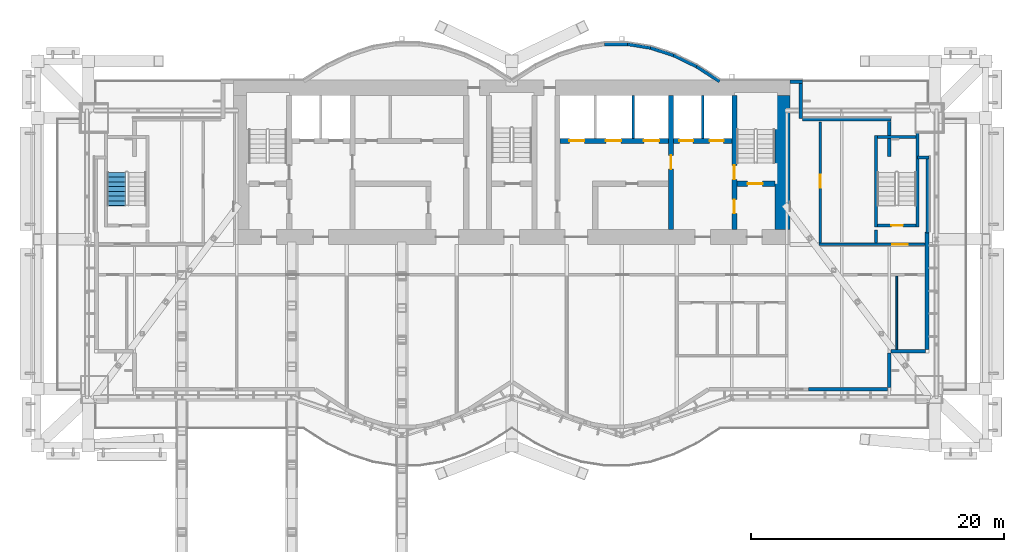
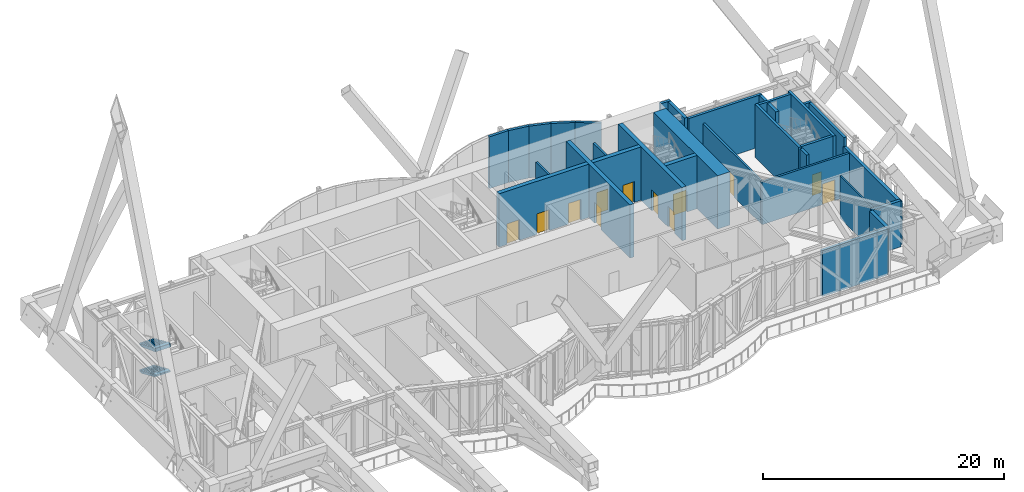
# One storey, part 26 of 30: 30 walls, 12 doors, 2 stair flights, 12 openings, 1 element without a shape of its own.
"""IFC4 building model written with IfcOpenShell, lengths in metres."""

from ifc_helpers import new_model, si_unit, direction, frame, frame_2d, origin, place, context, subcontext, project, spatial, polyline, rectangle, outline, extrude, material, layer, layer_set, layer_usage, type_object, element, fill, aggregate, save


model = new_model("IFC4")

# Units and contexts
model_context = context("Model", 3, precision=1e-05, world=origin(), true_north=direction((0.0, 1.0)))
body_context = subcontext(model_context, "Body", "Model", "MODEL_VIEW")
ifc_project = project(units=[si_unit("LENGTHUNIT", "METRE"), si_unit("AREAUNIT", "SQUARE_METRE"), si_unit("VOLUMEUNIT", "CUBIC_METRE"), si_unit("PLANEANGLEUNIT", "RADIAN"), si_unit("MASSUNIT", "GRAM", prefix="KILO")], contexts=[model_context])

# Site, building, storey
site_placement = place(None, origin())
site = spatial("IfcSite", under=ifc_project, at=site_placement, CompositionType="ELEMENT")
building_placement = place(site_placement, origin())
building = spatial("IfcBuilding", under=site, at=building_placement, Name="Bicima Exchange Tower", CompositionType="ELEMENT")
storey_placement = place(building_placement, frame((0.0, 0.0, 287.60009765625)))
storey = spatial("IfcBuildingStorey", under=building, at=storey_placement, Name="L65", CompositionType="ELEMENT", Elevation=287.60009765625)

# Walls
ifc_material_1 = material(Name="Gypsum board partition")
ifc_layer_1 = layer(ifc_material_1, 0.199951171875)
ifc_layer_set_1 = layer_set([ifc_layer_1], Name="Gypsum board partition")
wall_type_1 = type_object("IfcWallType", Name="Fire-rated gypsum partition 200 EI120", PredefinedType="PARTITIONING", material=ifc_layer_set_1)
for number, where, z_axis, x_axis, name in (
    (1, (9.60009765625, -4.60009765625, 0.0), (0.0, 0.0, 1.0), (0.0, 1.0, 0.0), "partition wall 19"),
    (2, (15.10009765625, -4.60009765625, 0.0), (0.0, 0.0, 1.0), (0.0, 1.0, 0.0), "partition wall 21"),
):
    element("IfcWall", number, at=place(storey_placement, frame(where, z_axis=z_axis, x_axis=x_axis)), inside=storey, type_object=wall_type_1, Name=name, PredefinedType="PARTITIONING", context=body_context, shape_type="SweptSolid", body=[
        extrude(rectangle(XDim=3.400146484375, YDim=0.199951171875, at=frame_2d((1.7001953125, 0.0))), origin(), (0.0, 0.0, 1.0), 4.318115234375),
    ])

# Wall, opening, door
ifc_layer_2 = layer(ifc_material_1, 0.199951171875)
ifc_layer_set_2 = layer_set([ifc_layer_2], Name="Gypsum board partition")
wall_type_2 = type_object("IfcWallType", Name="Fire-rated gypsum partition 200 EI60", PredefinedType="PARTITIONING", material=ifc_layer_set_2)
wall_1_placement = place(storey_placement, frame((24.300048828125, -13.0, 0.0), z_axis=(0.0, 0.0, 1.0), x_axis=(1.0, 0.0, 0.0)))
wall_1 = element("IfcWall", 3, at=wall_1_placement, inside=storey, type_object=wall_type_2, Name="partition wall 7", PredefinedType="PARTITIONING", context=body_context, shape_type="SweptSolid", body=[
    extrude(rectangle(XDim=8.39990234375, YDim=0.199951171875, at=frame_2d((4.199951171875, 0.0))), origin(), (0.0, 0.0, 1.0), 4.318115234375),
])
opening_1_placement = place(wall_1_placement, frame((5.800048828125, 0.0, 0.0)))
opening_1 = element("IfcOpeningElement", 4, at=opening_1_placement, cuts=wall_1, Name="Opening L65-003", PredefinedType="OPENING", context=body_context, shape_type="SweptSolid", body=[
    extrude(rectangle(XDim=1.199951171875, YDim=2.10009765625, at=frame_2d((0.60009765625, 1.050048828125))), frame((0.0, 0.11181640625, 0.0), z_axis=(0.0, -1.0, 0.0), x_axis=(1.0, 0.0, 0.0)), (0.0, 0.0, 1.0), 0.223876953125),
])
ifc_material_2 = material(Name="Steel fire door leaf", Category="steel")
door_type_1 = type_object("IfcDoorType", Name="Door 1200 swing FD30S", OperationType="SINGLE_SWING_LEFT", PredefinedType="DOOR", material=ifc_material_2)
door_1_placement = place(opening_1_placement, origin())
door_1 = element("IfcDoor", 5, at=door_1_placement, inside=storey, type_object=door_type_1, Name="Door", OperationType="SINGLE_SWING_RIGHT", OverallHeight=2.10009765625, OverallWidth=1.199951171875, PredefinedType="DOOR", context=body_context, shape_type="SweptSolid", body=[
    extrude(rectangle(XDim=1.199951171875, YDim=2.10009765625, at=frame_2d((0.60009765625, 1.050048828125))), frame((0.0, 0.02490234375, 0.0), z_axis=(0.0, -1.0, 0.0), x_axis=(1.0, 0.0, 0.0)), (0.0, 0.0, 1.0), 0.050048828125),
])
fill(opening_1, door_1)

wall_2_placement = place(storey_placement, frame((24.39990234375, -12.89990234375, 0.0), z_axis=(0.0, 0.0, 1.0), x_axis=(0.0, 1.0, 0.0)))
wall_2 = element("IfcWall", 6, at=wall_2_placement, inside=storey, type_object=wall_type_2, Name="partition wall 24", PredefinedType="PARTITIONING", context=body_context, shape_type="SweptSolid", body=[
    extrude(rectangle(XDim=9.599853515625, YDim=0.199951171875, at=frame_2d((4.7998046875, 0.0))), origin(), (0.0, 0.0, 1.0), 4.318115234375),
])
opening_2_placement = place(wall_2_placement, frame((4.39990234375, 0.0, 0.0)))
opening_2 = element("IfcOpeningElement", 7, at=opening_2_placement, cuts=wall_2, Name="Opening L65-006", PredefinedType="OPENING", context=body_context, shape_type="SweptSolid", body=[
    extrude(rectangle(XDim=1.0, YDim=2.10009765625, at=frame_2d((0.5, 1.050048828125))), frame((0.0, 0.11181640625, 0.0), z_axis=(0.0, -1.0, 0.0), x_axis=(1.0, 0.0, 0.0)), (0.0, 0.0, 1.0), 0.223876953125),
])
door_type_2 = type_object("IfcDoorType", Name="Door 1000 swing FD30S", OperationType="SINGLE_SWING_LEFT", PredefinedType="DOOR", material=ifc_material_2)
door_2_placement = place(opening_2_placement, frame((1.0, 0.0, 0.0), z_axis=(0.0, 0.0, 1.0), x_axis=(-1.0, 0.0, 0.0)))
door_2 = element("IfcDoor", 8, at=door_2_placement, inside=storey, type_object=door_type_2, Name="Door", OperationType="SINGLE_SWING_RIGHT", OverallHeight=2.10009765625, OverallWidth=1.0, PredefinedType="DOOR", context=body_context, shape_type="SweptSolid", body=[
    extrude(rectangle(XDim=1.0, YDim=2.10009765625, at=frame_2d((0.5, 1.050048828125))), frame((0.0, 0.02490234375, 0.0), z_axis=(0.0, -1.0, 0.0), x_axis=(1.0, 0.0, 0.0)), (0.0, 0.0, 1.0), 0.050048828125),
])
fill(opening_2, door_2)

# Walls
ifc_layer_3 = layer(ifc_material_1, 0.14990234375)
ifc_layer_set_3 = layer_set([ifc_layer_3], Name="Gypsum board partition")
wall_type_3 = type_object("IfcWallType", Name="Gypsum partition 150", PredefinedType="PARTITIONING", material=ifc_layer_set_3)
wall_3_placement = place(storey_placement, frame((30.449951171875, -21.300048828125, 0.0), z_axis=(0.0, 0.0, 1.0), x_axis=(0.0, 1.0, 0.0)))
element("IfcWall", 9, at=wall_3_placement, inside=storey, type_object=wall_type_3, Name="partition wall 26", PredefinedType="PARTITIONING", context=body_context, shape_type="SweptSolid", body=[
    extrude(rectangle(XDim=5.800048828125, YDim=0.14990234375, at=frame_2d((2.89990234375, 0.0))), origin(), (0.0, 0.0, 1.0), 4.318115234375),
])
ifc_material_3 = material(Name="Concrete C40/50", Category="concrete")
ifc_layer_4 = layer(ifc_material_3, 1.199951171875)
ifc_layer_set_4 = layer_set([ifc_layer_4], Name="Concrete C40/50")
wall_type_4 = type_object("IfcWallType", Name="RC core wall 1200 C40/50", PredefinedType="SHEAR", material=ifc_layer_set_4)
wall_4_placement = place(storey_placement, frame((21.39990234375, -11.800048828125, 0.0), z_axis=(0.0, 0.0, 1.0), x_axis=(0.0, 1.0, 0.0)))
element("IfcWall", 10, at=wall_4_placement, inside=storey, type_object=wall_type_4, Name="Core wall east", PredefinedType="SHEAR", context=body_context, shape_type="SweptSolid", body=[
    extrude(rectangle(XDim=10.60009765625, YDim=1.199951171875, at=frame_2d((5.300048828125, 0.0))), origin(), (0.0, 0.0, 1.0), 5.39990234375),
])
ifc_material_4 = material(Name="Concrete C50/60", Category="concrete")
ifc_layer_5 = layer(ifc_material_4, 0.25)
ifc_layer_set_5 = layer_set([ifc_layer_5], Name="Concrete C50/60")
wall_type_5 = type_object("IfcWallType", Name="RC core wall 250 C50/60", PredefinedType="SHEAR", material=ifc_layer_set_5)
wall_5_placement = place(storey_placement, frame((28.800048828125, -12.89990234375, 0.0), z_axis=(0.0, 0.0, 1.0), x_axis=(0.0, 1.0, 0.0)))
element("IfcWall", 11, at=wall_5_placement, inside=storey, type_object=wall_type_5, Name="stair wall 25", PredefinedType="SHEAR", context=body_context, shape_type="SweptSolid", body=[
    extrude(rectangle(XDim=1.0498046875, YDim=0.25, at=frame_2d((0.52490234375, 0.0))), origin(), (0.0, 0.0, 1.0), 5.39990234375),
])

# Wall, openings, doors
ifc_layer_6 = layer(ifc_material_3, 0.39990234375)
ifc_layer_set_6 = layer_set([ifc_layer_6], Name="Concrete C40/50")
wall_type_6 = type_object("IfcWallType", Name="RC core wall 400 C40/50", PredefinedType="SHEAR", material=ifc_layer_set_6)
wall_6_placement = place(storey_placement, frame((3.800048828125, -4.800048828125, 0.0), z_axis=(0.0, 0.0, 1.0), x_axis=(1.0, 0.0, 0.0)))
wall_6 = element("IfcWall", 12, at=wall_6_placement, inside=storey, type_object=wall_type_6, Name="shear wall 7", PredefinedType="SHEAR", context=body_context, shape_type="SweptSolid", body=[
    extrude(rectangle(XDim=13.599853515625, YDim=0.39990234375, at=frame_2d((6.7998046875, 0.0))), origin(), (0.0, 0.0, 1.0), 5.39990234375),
])
opening_3_placement = place(wall_6_placement, frame((0.75, 0.0, 0.0)))
opening_3 = element("IfcOpeningElement", 13, at=opening_3_placement, cuts=wall_6, Name="Opening LD-HB1-L65", PredefinedType="OPENING", context=body_context, shape_type="SweptSolid", body=[
    extrude(rectangle(XDim=1.199951171875, YDim=2.10009765625, at=frame_2d((0.60009765625, 1.050048828125))), frame((0.0, 0.2119140625, 0.0), z_axis=(0.0, -1.0, 0.0), x_axis=(1.0, 0.0, 0.0)), (0.0, 0.0, 1.0), 0.423828125),
])
opening_4_placement = place(wall_6_placement, frame((3.64990234375, 0.0, 0.0)))
opening_4 = element("IfcOpeningElement", 14, at=opening_4_placement, cuts=wall_6, Name="Opening LD-HB2-L65", PredefinedType="OPENING", context=body_context, shape_type="SweptSolid", body=[
    extrude(rectangle(XDim=1.199951171875, YDim=2.10009765625, at=frame_2d((0.60009765625, 1.050048828125))), frame((0.0, 0.2119140625, 0.0), z_axis=(0.0, -1.0, 0.0), x_axis=(1.0, 0.0, 0.0)), (0.0, 0.0, 1.0), 0.423828125),
])
opening_5_placement = place(wall_6_placement, frame((6.64990234375, 0.0, 0.0)))
opening_5 = element("IfcOpeningElement", 15, at=opening_5_placement, cuts=wall_6, Name="Opening LD-HB3-L65", PredefinedType="OPENING", context=body_context, shape_type="SweptSolid", body=[
    extrude(rectangle(XDim=1.199951171875, YDim=2.10009765625, at=frame_2d((0.60009765625, 1.050048828125))), frame((0.0, 0.2119140625, 0.0), z_axis=(0.0, -1.0, 0.0), x_axis=(1.0, 0.0, 0.0)), (0.0, 0.0, 1.0), 0.423828125),
])
opening_6_placement = place(wall_6_placement, frame((9.449951171875, 0.0, 0.0)))
opening_6 = element("IfcOpeningElement", 16, at=opening_6_placement, cuts=wall_6, Name="Opening LD-FF2-L65", PredefinedType="OPENING", context=body_context, shape_type="SweptSolid", body=[
    extrude(rectangle(XDim=1.10009765625, YDim=2.10009765625, at=frame_2d((0.550048828125, 1.050048828125))), frame((0.0, 0.2119140625, 0.0), z_axis=(0.0, -1.0, 0.0), x_axis=(1.0, 0.0, 0.0)), (0.0, 0.0, 1.0), 0.423828125),
])
opening_7_placement = place(wall_6_placement, frame((11.85009765625, 0.0, 0.0)))
opening_7 = element("IfcOpeningElement", 17, at=opening_7_placement, cuts=wall_6, Name="Opening LD-SV1-L65", PredefinedType="OPENING", context=body_context, shape_type="SweptSolid", body=[
    extrude(rectangle(XDim=1.10009765625, YDim=2.10009765625, at=frame_2d((0.550048828125, 1.050048828125))), frame((0.0, 0.2119140625, 0.0), z_axis=(0.0, -1.0, 0.0), x_axis=(1.0, 0.0, 0.0)), (0.0, 0.0, 1.0), 0.423828125),
])
ifc_material_5 = material(Name="Stainless steel", Category="steel")
door_type_3 = type_object("IfcDoorType", Name="Lift landing door 1100 sliding", OperationType="DOUBLE_DOOR_SLIDING", PredefinedType="DOOR", material=ifc_material_5)
door_3_placement = place(opening_6_placement, origin())
door_3 = element("IfcDoor", 18, at=door_3_placement, inside=storey, type_object=door_type_3, Name="Lift landing door FF2", OperationType="DOUBLE_DOOR_SLIDING", OverallHeight=2.10009765625, OverallWidth=1.10009765625, PredefinedType="DOOR", context=body_context, shape_type="SweptSolid", body=[
    extrude(rectangle(XDim=1.10009765625, YDim=2.10009765625, at=frame_2d((0.550048828125, 1.050048828125))), frame((0.0, 0.02490234375, 0.0), z_axis=(0.0, -1.0, 0.0), x_axis=(1.0, 0.0, 0.0)), (0.0, 0.0, 1.0), 0.050048828125),
])
fill(opening_6, door_3)
door_4_placement = place(opening_7_placement, origin())
door_4 = element("IfcDoor", 19, at=door_4_placement, inside=storey, type_object=door_type_3, Name="Lift landing door SV1", OperationType="DOUBLE_DOOR_SLIDING", OverallHeight=2.10009765625, OverallWidth=1.10009765625, PredefinedType="DOOR", context=body_context, shape_type="SweptSolid", body=[
    extrude(rectangle(XDim=1.10009765625, YDim=2.10009765625, at=frame_2d((0.550048828125, 1.050048828125))), frame((0.0, 0.02490234375, 0.0), z_axis=(0.0, -1.0, 0.0), x_axis=(1.0, 0.0, 0.0)), (0.0, 0.0, 1.0), 0.050048828125),
])
fill(opening_7, door_4)
door_type_4 = type_object("IfcDoorType", Name="Lift landing door 1200 sliding", OperationType="DOUBLE_DOOR_SLIDING", PredefinedType="DOOR", material=ifc_material_5)
door_5_placement = place(opening_3_placement, origin())
door_5 = element("IfcDoor", 20, at=door_5_placement, inside=storey, type_object=door_type_4, Name="Lift landing door HB1", OperationType="DOUBLE_DOOR_SLIDING", OverallHeight=2.10009765625, OverallWidth=1.199951171875, PredefinedType="DOOR", context=body_context, shape_type="SweptSolid", body=[
    extrude(rectangle(XDim=1.199951171875, YDim=2.10009765625, at=frame_2d((0.60009765625, 1.050048828125))), frame((0.0, 0.02490234375, 0.0), z_axis=(0.0, -1.0, 0.0), x_axis=(1.0, 0.0, 0.0)), (0.0, 0.0, 1.0), 0.050048828125),
])
fill(opening_3, door_5)
door_6_placement = place(opening_4_placement, origin())
door_6 = element("IfcDoor", 21, at=door_6_placement, inside=storey, type_object=door_type_4, Name="Lift landing door HB2", OperationType="DOUBLE_DOOR_SLIDING", OverallHeight=2.10009765625, OverallWidth=1.199951171875, PredefinedType="DOOR", context=body_context, shape_type="SweptSolid", body=[
    extrude(rectangle(XDim=1.199951171875, YDim=2.10009765625, at=frame_2d((0.60009765625, 1.050048828125))), frame((0.0, 0.02490234375, 0.0), z_axis=(0.0, -1.0, 0.0), x_axis=(1.0, 0.0, 0.0)), (0.0, 0.0, 1.0), 0.050048828125),
])
fill(opening_4, door_6)
door_7_placement = place(opening_5_placement, origin())
door_7 = element("IfcDoor", 22, at=door_7_placement, inside=storey, type_object=door_type_4, Name="Lift landing door HB3", OperationType="DOUBLE_DOOR_SLIDING", OverallHeight=2.10009765625, OverallWidth=1.199951171875, PredefinedType="DOOR", context=body_context, shape_type="SweptSolid", body=[
    extrude(rectangle(XDim=1.199951171875, YDim=2.10009765625, at=frame_2d((0.60009765625, 1.050048828125))), frame((0.0, 0.02490234375, 0.0), z_axis=(0.0, -1.0, 0.0), x_axis=(1.0, 0.0, 0.0)), (0.0, 0.0, 1.0), 0.050048828125),
])
fill(opening_5, door_7)

# Wall, opening, door
wall_7_placement = place(storey_placement, frame((12.60009765625, -11.800048828125, 0.0), z_axis=(0.0, 0.0, 1.0), x_axis=(0.0, 1.0, 0.0)))
wall_7 = element("IfcWall", 23, at=wall_7_placement, inside=storey, type_object=wall_type_6, Name="shear wall 20", PredefinedType="SHEAR", context=body_context, shape_type="SweptSolid", body=[
    extrude(rectangle(XDim=10.60009765625, YDim=0.39990234375, at=frame_2d((5.300048828125, 0.0))), origin(), (0.0, 0.0, 1.0), 5.39990234375),
])
opening_8_placement = place(wall_7_placement, frame((4.75, 0.0, 0.0)))
opening_8 = element("IfcOpeningElement", 24, at=opening_8_placement, cuts=wall_7, Name="Opening L65-C09", PredefinedType="OPENING", context=body_context, shape_type="SweptSolid", body=[
    extrude(rectangle(XDim=1.10009765625, YDim=2.10009765625, at=frame_2d((0.550048828125, 1.050048828125))), frame((0.0, 0.2119140625, 0.0), z_axis=(0.0, -1.0, 0.0), x_axis=(1.0, 0.0, 0.0)), (0.0, 0.0, 1.0), 0.423828125),
])
door_type_5 = type_object("IfcDoorType", Name="Door 1100 swing FD60S", OperationType="SINGLE_SWING_LEFT", PredefinedType="DOOR", material=ifc_material_2)
door_8_placement = place(opening_8_placement, frame((1.10009765625, 0.0, 0.0), z_axis=(0.0, 0.0, 1.0), x_axis=(-1.0, 0.0, 0.0)))
door_8 = element("IfcDoor", 25, at=door_8_placement, inside=storey, type_object=door_type_5, Name="Core door", OperationType="SINGLE_SWING_RIGHT", OverallHeight=2.10009765625, OverallWidth=1.10009765625, PredefinedType="DOOR", context=body_context, shape_type="SweptSolid", body=[
    extrude(rectangle(XDim=1.10009765625, YDim=2.10009765625, at=frame_2d((0.550048828125, 1.050048828125))), frame((0.0, 0.02490234375, 0.0), z_axis=(0.0, -1.0, 0.0), x_axis=(1.0, 0.0, 0.0)), (0.0, 0.0, 1.0), 0.050048828125),
])
fill(opening_8, door_8)

ifc_layer_7 = layer(ifc_material_4, 0.39990234375)
ifc_layer_set_7 = layer_set([ifc_layer_7], Name="Concrete C50/60")
wall_type_7 = type_object("IfcWallType", Name="RC core wall 400 C50/60", PredefinedType="SHEAR", material=ifc_layer_set_7)
wall_8_placement = place(storey_placement, frame((17.800048828125, -8.199951171875, 0.0), z_axis=(0.0, 0.0, 1.0), x_axis=(1.0, 0.0, 0.0)))
wall_8 = element("IfcWall", 26, at=wall_8_placement, inside=storey, type_object=wall_type_7, Name="stair wall 5", PredefinedType="SHEAR", context=body_context, shape_type="SweptSolid", body=[
    extrude(rectangle(XDim=3.0, YDim=0.39990234375, at=frame_2d((1.5, 0.0))), origin(), (0.0, 0.0, 1.0), 5.39990234375),
])
opening_9_placement = place(wall_8_placement, frame((0.85009765625, 0.0, 0.0)))
opening_9 = element("IfcOpeningElement", 27, at=opening_9_placement, cuts=wall_8, Name="Opening L65-C04", PredefinedType="OPENING", context=body_context, shape_type="SweptSolid", body=[
    extrude(rectangle(XDim=1.199951171875, YDim=2.10009765625, at=frame_2d((0.60009765625, 1.050048828125))), frame((0.0, 0.2119140625, 0.0), z_axis=(0.0, -1.0, 0.0), x_axis=(1.0, 0.0, 0.0)), (0.0, 0.0, 1.0), 0.423828125),
])
door_type_6 = type_object("IfcDoorType", Name="Door 1200 swing FD60S", OperationType="SINGLE_SWING_LEFT", PredefinedType="DOOR", material=ifc_material_2)
door_9_placement = place(opening_9_placement, origin())
door_9 = element("IfcDoor", 28, at=door_9_placement, inside=storey, type_object=door_type_6, Name="Core door", OperationType="SINGLE_SWING_RIGHT", OverallHeight=2.10009765625, OverallWidth=1.199951171875, PredefinedType="DOOR", context=body_context, shape_type="SweptSolid", body=[
    extrude(rectangle(XDim=1.199951171875, YDim=2.10009765625, at=frame_2d((0.60009765625, 1.050048828125))), frame((0.0, 0.02490234375, 0.0), z_axis=(0.0, -1.0, 0.0), x_axis=(1.0, 0.0, 0.0)), (0.0, 0.0, 1.0), 0.050048828125),
])
fill(opening_9, door_9)

# Wall, openings, doors
wall_9_placement = place(storey_placement, frame((17.60009765625, -11.800048828125, 0.0), z_axis=(0.0, 0.0, 1.0), x_axis=(0.0, 1.0, 0.0)))
wall_9 = element("IfcWall", 29, at=wall_9_placement, inside=storey, type_object=wall_type_7, Name="stair wall 22", PredefinedType="SHEAR", context=body_context, shape_type="SweptSolid", body=[
    extrude(rectangle(XDim=10.60009765625, YDim=0.39990234375, at=frame_2d((5.300048828125, 0.0))), origin(), (0.0, 0.0, 1.0), 5.39990234375),
])
opening_10_placement = place(wall_9_placement, frame((1.25, 0.0, 0.0)))
opening_10 = element("IfcOpeningElement", 30, at=opening_10_placement, cuts=wall_9, Name="Opening L65-C05", PredefinedType="OPENING", context=body_context, shape_type="SweptSolid", body=[
    extrude(rectangle(XDim=1.10009765625, YDim=2.10009765625, at=frame_2d((0.550048828125, 1.050048828125))), frame((0.0, 0.2119140625, 0.0), z_axis=(0.0, -1.0, 0.0), x_axis=(1.0, 0.0, 0.0)), (0.0, 0.0, 1.0), 0.423828125),
])
opening_11_placement = place(wall_9_placement, frame((3.949951171875, 0.0, 0.0)))
opening_11 = element("IfcOpeningElement", 31, at=opening_11_placement, cuts=wall_9, Name="Opening L65-C08", PredefinedType="OPENING", context=body_context, shape_type="SweptSolid", body=[
    extrude(rectangle(XDim=1.10009765625, YDim=2.10009765625, at=frame_2d((0.550048828125, 1.050048828125))), frame((0.0, 0.2119140625, 0.0), z_axis=(0.0, -1.0, 0.0), x_axis=(1.0, 0.0, 0.0)), (0.0, 0.0, 1.0), 0.423828125),
])
door_10_placement = place(opening_10_placement, origin())
door_10 = element("IfcDoor", 32, at=door_10_placement, inside=storey, type_object=door_type_5, Name="Core door", OperationType="SINGLE_SWING_LEFT", OverallHeight=2.10009765625, OverallWidth=1.10009765625, PredefinedType="DOOR", context=body_context, shape_type="SweptSolid", body=[
    extrude(rectangle(XDim=1.10009765625, YDim=2.10009765625, at=frame_2d((0.550048828125, 1.050048828125))), frame((0.0, 0.02490234375, 0.0), z_axis=(0.0, -1.0, 0.0), x_axis=(1.0, 0.0, 0.0)), (0.0, 0.0, 1.0), 0.050048828125),
])
fill(opening_10, door_10)
door_11_placement = place(opening_11_placement, origin())
door_11 = element("IfcDoor", 33, at=door_11_placement, inside=storey, type_object=door_type_5, Name="Core door", OperationType="SINGLE_SWING_RIGHT", OverallHeight=2.10009765625, OverallWidth=1.10009765625, PredefinedType="DOOR", context=body_context, shape_type="SweptSolid", body=[
    extrude(rectangle(XDim=1.10009765625, YDim=2.10009765625, at=frame_2d((0.550048828125, 1.050048828125))), frame((0.0, 0.02490234375, 0.0), z_axis=(0.0, -1.0, 0.0), x_axis=(1.0, 0.0, 0.0)), (0.0, 0.0, 1.0), 0.050048828125),
])
fill(opening_11, door_11)

# Walls
ifc_layer_8 = layer(ifc_material_4, 0.25)
ifc_layer_set_8 = layer_set([ifc_layer_8], Name="Concrete C50/60")
wall_type_8 = type_object("IfcWallType", Name="RC stair enclosure wall 250 C50/60", PredefinedType="SHEAR", material=ifc_layer_set_8)
wall_10_placement = place(storey_placement, frame((28.800048828125, -11.625, 0.0), z_axis=(0.0, 0.0, 1.0), x_axis=(0.0, 1.0, 0.0)))
element("IfcWall", 34, at=wall_10_placement, inside=storey, type_object=wall_type_8, Name="East end exit stair wall W", PredefinedType="SHEAR", context=body_context, shape_type="SweptSolid", body=[
    extrude(rectangle(XDim=7.25, YDim=0.25, at=frame_2d((3.625, 0.0))), origin(), (0.0, 0.0, 1.0), 5.39990234375),
])
wall_11_placement = place(storey_placement, frame((32.10009765625, -11.625, 0.0), z_axis=(0.0, 0.0, 1.0), x_axis=(0.0, 1.0, 0.0)))
element("IfcWall", 35, at=wall_11_placement, inside=storey, type_object=wall_type_8, Name="East end exit stair wall E", PredefinedType="SHEAR", context=body_context, shape_type="SweptSolid", body=[
    extrude(rectangle(XDim=7.52490234375, YDim=0.25, at=frame_2d((3.762451171875, 0.0))), origin(), (0.0, 0.0, 1.0), 5.39990234375),
])

# Wall, opening, door
wall_12_placement = place(storey_placement, frame((28.925048828125, -11.5, 0.0), z_axis=(0.0, 0.0, 1.0), x_axis=(1.0, 0.0, 0.0)))
wall_12 = element("IfcWall", 36, at=wall_12_placement, inside=storey, type_object=wall_type_8, Name="East end exit stair wall S", PredefinedType="SHEAR", context=body_context, shape_type="SweptSolid", body=[
    extrude(rectangle(XDim=3.050048828125, YDim=0.25, at=frame_2d((1.52490234375, 0.0))), origin(), (0.0, 0.0, 1.0), 5.39990234375),
])
opening_12_placement = place(wall_12_placement, frame((1.10009765625, 0.0, 0.0)))
opening_12 = element("IfcOpeningElement", 37, at=opening_12_placement, cuts=wall_12, Name="Opening L65-004", PredefinedType="OPENING", context=body_context, shape_type="SweptSolid", body=[
    extrude(rectangle(XDim=0.89990234375, YDim=2.10009765625, at=frame_2d((0.449951171875, 1.050048828125))), frame((0.0, 0.136962890625, 0.0), z_axis=(0.0, -1.0, 0.0), x_axis=(1.0, 0.0, 0.0)), (0.0, 0.0, 1.0), 0.27392578125),
])
door_type_7 = type_object("IfcDoorType", Name="Door 900 swing FD60S", OperationType="SINGLE_SWING_LEFT", PredefinedType="DOOR", material=ifc_material_2)
door_12_placement = place(opening_12_placement, origin())
door_12 = element("IfcDoor", 38, at=door_12_placement, inside=storey, type_object=door_type_7, Name="Door", OperationType="SINGLE_SWING_LEFT", OverallHeight=2.10009765625, OverallWidth=0.89990234375, PredefinedType="DOOR", context=body_context, shape_type="SweptSolid", body=[
    extrude(rectangle(XDim=0.89990234375, YDim=2.10009765625, at=frame_2d((0.449951171875, 1.050048828125))), frame((0.0, 0.02490234375, 0.0), z_axis=(0.0, -1.0, 0.0), x_axis=(1.0, 0.0, 0.0)), (0.0, 0.0, 1.0), 0.050048828125),
])
fill(opening_12, door_12)

# Walls
wall_13_placement = place(storey_placement, frame((28.925048828125, -4.5, 0.0), z_axis=(0.0, 0.0, 1.0), x_axis=(1.0, 0.0, 0.0)))
element("IfcWall", 39, at=wall_13_placement, inside=storey, type_object=wall_type_8, Name="East end exit stair wall N", PredefinedType="SHEAR", context=body_context, shape_type="SweptSolid", body=[
    extrude(rectangle(XDim=3.050048828125, YDim=0.25, at=frame_2d((1.52490234375, 0.0))), origin(), (0.0, 0.0, 1.0), 5.39990234375),
])
ifc_layer_9 = layer(ifc_material_3, 0.25)
ifc_layer_set_9 = layer_set([ifc_layer_9], Name="Concrete C40/50")
ifc_layer_usage_1 = layer_usage(ifc_layer_set_9, "AXIS2", "POSITIVE", -0.125)
wall_type_9 = type_object("IfcWallType", Name="Rear backup wall 250", PredefinedType="STANDARD", material=ifc_layer_set_9)
wall_14_placement = place(storey_placement, frame((32.875, -12.090087890625, 0.0), z_axis=(0.0, 0.0, 1.0), x_axis=(0.0, 1.0, 0.0)))
element("IfcWall", 40, at=wall_14_placement, inside=storey, type_object=wall_type_9, material=ifc_layer_usage_1, Name="Rear backup wall L65 2", PredefinedType="STANDARD", context=body_context, shape_type="SweptSolid", body=[
    extrude(rectangle(XDim=6.090087890625, YDim=0.25, at=frame_2d((3.044921875, 0.0))), origin(), (0.0, 0.0, 1.0), 5.25),
])
wall_15_placement = place(storey_placement, frame((33.0, -6.125, 0.0), z_axis=(0.0, 0.0, 1.0), x_axis=(-1.0, 0.0, 0.0)))
element("IfcWall", 41, at=wall_15_placement, inside=storey, type_object=wall_type_9, material=ifc_layer_usage_1, Name="Rear backup wall L65 3", PredefinedType="STANDARD", context=body_context, shape_type="SweptSolid", body=[
    extrude(rectangle(XDim=0.889892578125, YDim=0.25, at=frame_2d((0.44482421875, 0.0))), origin(), (0.0, 0.0, 1.0), 5.25),
])
wall_16_placement = place(storey_placement, frame((30.0, -3.125, 0.0), z_axis=(0.0, 0.0, 1.0), x_axis=(-1.0, 0.0, 0.0)))
element("IfcWall", 42, at=wall_16_placement, inside=storey, type_object=wall_type_9, material=ifc_layer_usage_1, Name="Rear backup wall L65 5", PredefinedType="STANDARD", context=body_context, shape_type="SweptSolid", body=[
    extrude(rectangle(XDim=7.0, YDim=0.25, at=frame_2d((3.5, 0.0))), origin(), (0.0, 0.0, 1.0), 5.25),
])
wall_17_placement = place(storey_placement, frame((23.0, -0.125, 0.0), z_axis=(0.0, 0.0, 1.0), x_axis=(-1.0, 0.0, 0.0)))
element("IfcWall", 43, at=wall_17_placement, inside=storey, type_object=wall_type_9, material=ifc_layer_usage_1, Name="Rear backup wall L65 7", PredefinedType="STANDARD", context=body_context, shape_type="SweptSolid", body=[
    extrude(rectangle(XDim=1.0, YDim=0.25, at=frame_2d((0.5, 0.0))), origin(), (0.0, 0.0, 1.0), 5.25),
])
wall_18_placement = place(storey_placement, frame((16.43212890625, -0.10498046875, 0.0), z_axis=(0.0, 0.0, 1.0), x_axis=(-0.83981312244, 0.542875602121, 0.0)))
element("IfcWall", 44, at=wall_18_placement, inside=storey, type_object=wall_type_9, material=ifc_layer_usage_1, Name="Rear backup wall L65 8", PredefinedType="STANDARD", context=body_context, shape_type="SweptSolid", body=[
    extrude(rectangle(XDim=2.182861328125, YDim=0.25, at=frame_2d((1.09130859375, 0.0))), origin(), (0.0, 0.0, 1.0), 5.25),
])
wall_19_placement = place(storey_placement, frame((14.6123046875, 1.07275390625, 0.0), z_axis=(0.0, 0.0, 1.0), x_axis=(-0.89982408427, 0.436252928206, 0.0)))
element("IfcWall", 45, at=wall_19_placement, inside=storey, type_object=wall_type_9, material=ifc_layer_usage_1, Name="Rear backup wall L65 9", PredefinedType="STANDARD", context=body_context, shape_type="SweptSolid", body=[
    extrude(rectangle(XDim=2.03759765625, YDim=0.25, at=frame_2d((1.018798828125, 0.0))), origin(), (0.0, 0.0, 1.0), 5.25),
])
wall_20_placement = place(storey_placement, frame((12.794921875, 1.955078125, 0.0), z_axis=(0.0, 0.0, 1.0), x_axis=(-0.951495806175, 0.307661714928, 0.0)))
element("IfcWall", 46, at=wall_20_placement, inside=storey, type_object=wall_type_9, material=ifc_layer_usage_1, Name="Rear backup wall L65 10", PredefinedType="STANDARD", context=body_context, shape_type="SweptSolid", body=[
    extrude(rectangle(XDim=1.9267578125, YDim=0.25, at=frame_2d((0.96337890625, 0.0))), origin(), (0.0, 0.0, 1.0), 5.25),
])
wall_21_placement = place(storey_placement, frame((10.97998046875, 2.543212890625, 0.0), z_axis=(0.0, 0.0, 1.0), x_axis=(-0.987181718931, 0.159600293885, 0.0)))
element("IfcWall", 47, at=wall_21_placement, inside=storey, type_object=wall_type_9, material=ifc_layer_usage_1, Name="Rear backup wall L65 11", PredefinedType="STANDARD", context=body_context, shape_type="SweptSolid", body=[
    extrude(rectangle(XDim=1.857177734375, YDim=0.25, at=frame_2d((0.9287109375, 0.0))), origin(), (0.0, 0.0, 1.0), 5.25),
])
wall_22_placement = place(storey_placement, frame((9.166748046875, 2.837890625, 0.0), z_axis=(0.0, 0.0, 1.0), x_axis=(-1.0, 0.0, 0.0)))
element("IfcWall", 48, at=wall_22_placement, inside=storey, type_object=wall_type_9, material=ifc_layer_usage_1, Name="Rear backup wall L65 12", PredefinedType="STANDARD", context=body_context, shape_type="SweptSolid", body=[
    extrude(rectangle(XDim=1.83349609375, YDim=0.25, at=frame_2d((0.916748046875, 0.0))), origin(), (0.0, 0.0, 1.0), 5.25),
])
ifc_layer_10 = layer(ifc_material_3, 0.3)
ifc_layer_set_10 = layer_set([ifc_layer_10], Name="Concrete C40/50")
ifc_layer_usage_2 = layer_usage(ifc_layer_set_10, "AXIS2", "POSITIVE", -0.15)
wall_type_10 = type_object("IfcWallType", Name="Refuge band wall 300", PredefinedType="STANDARD", material=ifc_layer_set_10)
wall_23_placement = place(storey_placement, frame((32.85009765625, -21.328125, 0.0), z_axis=(0.0, 0.0, 1.0), x_axis=(0.0, 1.0, 0.0)))
element("IfcWall", 49, at=wall_23_placement, inside=storey, type_object=wall_type_10, material=ifc_layer_usage_2, Name="Refuge band wall L65", PredefinedType="STANDARD", context=body_context, shape_type="SweptSolid", body=[
    extrude(rectangle(XDim=9.328125, YDim=0.300048828125, at=frame_2d((4.6640625, 0.0))), origin(), (0.0, 0.0, 1.0), 4.338134765625),
])
for number, where, z_axis, x_axis, name in (
    (50, (29.85009765625, -6.024169921875, 0.0), (0.0, 0.0, 1.0), (0.0, 1.0, 0.0), "Refuge band wall L65"),
    (51, (22.85009765625, -3.024169921875, 0.0), (0.0, 0.0, 1.0), (0.0, 1.0, 0.0), "Refuge band wall L65"),
):
    element("IfcWall", number, at=place(storey_placement, frame(where, z_axis=z_axis, x_axis=x_axis)), inside=storey, type_object=wall_type_10, material=ifc_layer_usage_2, Name=name, PredefinedType="STANDARD", context=body_context, shape_type="SweptSolid", body=[
        extrude(rectangle(XDim=2.748291015625, YDim=0.300048828125, at=frame_2d((1.3740234375, 0.0))), origin(), (0.0, 0.0, 1.0), 5.25),
    ])
wall_24_placement = place(storey_placement, frame((23.449951171875, -24.4541015625, 0.0), z_axis=(0.0, 0.0, 1.0), x_axis=(1.0, 0.0, 0.0)))
element("IfcWall", 52, at=wall_24_placement, inside=storey, type_object=wall_type_10, material=ifc_layer_usage_2, Name="Refuge band wall L65", PredefinedType="STANDARD", context=body_context, shape_type="SweptSolid", body=[
    extrude(rectangle(XDim=6.274169921875, YDim=0.300048828125, at=frame_2d((3.13720703125, 0.0))), origin(), (0.0, 0.0, 1.0), 4.650390625),
])
for number, where, z_axis, x_axis, name in (
    (53, (29.85009765625, -24.328125, 0.0), (0.0, 0.0, 1.0), (0.0, 1.0, 0.0), "Refuge band wall L65"),
    (54, (29.975830078125, -21.4541015625, 0.0), (0.0, 0.0, 1.0), (1.0, 0.0, 0.0), "Refuge band wall L65"),
):
    element("IfcWall", number, at=place(storey_placement, frame(where, z_axis=z_axis, x_axis=x_axis)), inside=storey, type_object=wall_type_10, material=ifc_layer_usage_2, Name=name, PredefinedType="STANDARD", context=body_context, shape_type="SweptSolid", body=[
        extrude(rectangle(XDim=2.748291015625, YDim=0.300048828125, at=frame_2d((1.3740234375, 0.0))), origin(), (0.0, 0.0, 1.0), 4.650390625),
    ])

# Stair, stair flights
stair_type = type_object("IfcStairType", Name="Exit stair", PredefinedType="HALF_TURN_STAIR", material=ifc_material_4)
stair_placement = place(storey_placement, origin())
stair = element("IfcStair", 55, at=stair_placement, inside=storey, type_object=stair_type, Name="L65 West end exit stair", PredefinedType="HALF_TURN_STAIR")
stair_flight_type = type_object("IfcStairFlightType", Name="Stair flight RC", PredefinedType="STRAIGHT", material=ifc_material_4)
stair_flight_1_placement = place(storey_placement, frame((-31.25, -7.294921875, 1.349853515625), z_axis=(0.0, 0.0, 1.0), x_axis=(0.0, -1.0, 0.0)))
stair_flight_1 = element("IfcStairFlight", 56, at=stair_flight_1_placement, type_object=stair_flight_type, Name="ST-WW flight 2", NumberOfRisers=8, NumberOfTreads=7, PredefinedType="STRAIGHT", RiserHeight=0.16875, TreadLength=0.375714286, context=body_context, shape_type="SweptSolid", body=[
    extrude(outline(polyline([(0.0, 0.0), (0.0, 0.168701171875), (0.375732421875, 0.168701171875), (0.375732421875, 0.33740234375), (0.75146484375, 0.33740234375), (0.75146484375, 0.50634765625), (1.127197265625, 0.50634765625), (1.127197265625, 0.675048828125), (1.5029296875, 0.675048828125), (1.5029296875, 0.84375), (1.878662109375, 0.84375), (1.878662109375, 1.012451171875), (2.25439453125, 1.012451171875), (2.25439453125, 1.18115234375), (2.6298828125, 1.18115234375), (2.6298828125, 1.35009765625), (2.6298828125, 1.016845703125), (0.365966796875, 0.0), (0.0, 0.0)])), frame((0.0, 0.72509765625, 0.0), z_axis=(0.0, -1.0, 0.0), x_axis=(1.0, 0.0, 0.0)), (0.0, 0.0, 1.0), 1.449951171875),
])
stair_flight_2_placement = place(storey_placement, frame((-31.25, -7.294921875, 4.0498046875), z_axis=(0.0, 0.0, 1.0), x_axis=(0.0, -1.0, 0.0)))
stair_flight_2 = element("IfcStairFlight", 57, at=stair_flight_2_placement, type_object=stair_flight_type, Name="ST-WW flight 4", NumberOfRisers=8, NumberOfTreads=7, PredefinedType="STRAIGHT", RiserHeight=0.16875, TreadLength=0.375714286, context=body_context, shape_type="SweptSolid", body=[
    extrude(outline(polyline([(0.0, 0.0), (0.0, 0.168701171875), (0.375732421875, 0.168701171875), (0.375732421875, 0.33740234375), (0.75146484375, 0.33740234375), (0.75146484375, 0.50634765625), (1.127197265625, 0.50634765625), (1.127197265625, 0.675048828125), (1.5029296875, 0.675048828125), (1.5029296875, 0.84375), (1.878662109375, 0.84375), (1.878662109375, 1.012451171875), (2.25439453125, 1.012451171875), (2.25439453125, 1.18115234375), (2.6298828125, 1.18115234375), (2.6298828125, 1.203857421875), (2.64501953125, 1.203857421875), (2.64501953125, 0.85498046875), (0.365966796875, 0.0), (0.0, 0.0)])), frame((0.0, 0.72509765625, 0.0), z_axis=(0.0, -1.0, 0.0), x_axis=(1.0, 0.0, 0.0)), (0.0, 0.0, 1.0), 1.449951171875),
])
aggregate(stair, [stair_flight_1, stair_flight_2])

save(model, "model.ifc")
